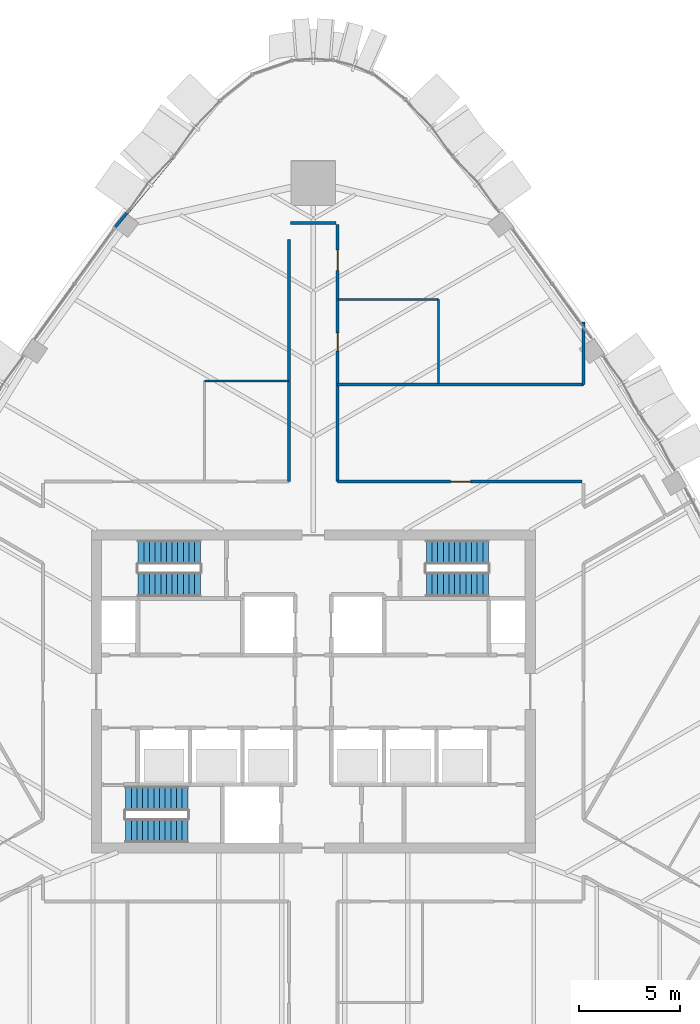
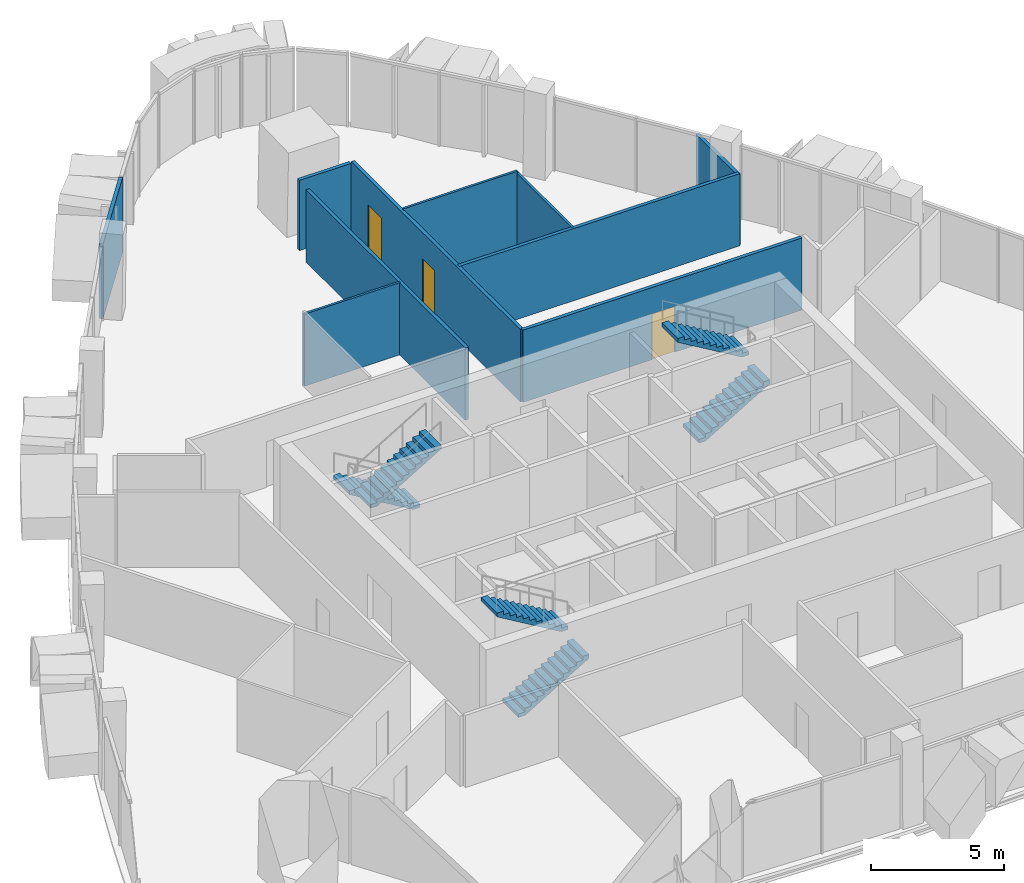
# One storey, part 14 of 18: 10 walls, 6 stair flights, 3 doors, 3 openings, 3 elements without a shape of their own.
"""IFC4 building model written with IfcOpenShell, lengths in metres."""

from ifc_helpers import new_model, si_unit, direction, frame, frame_2d, origin, place, context, subcontext, project, spatial, polyline, rectangle, outline, extrude, material, layer, layer_set, type_object, element, fill, aggregate, save


model = new_model("IFC4")

# Units and contexts
model_context = context("Model", 3, precision=1e-05, world=origin(), true_north=direction((0.0, 1.0)))
body_context = subcontext(model_context, "Body", "Model", "MODEL_VIEW")
ifc_project = project(units=[si_unit("LENGTHUNIT", "METRE"), si_unit("AREAUNIT", "SQUARE_METRE"), si_unit("VOLUMEUNIT", "CUBIC_METRE"), si_unit("PLANEANGLEUNIT", "RADIAN"), si_unit("MASSUNIT", "GRAM", prefix="KILO")], contexts=[model_context])

# Site, building, storey
site_placement = place(None, origin())
site = spatial("IfcSite", under=ifc_project, at=site_placement, CompositionType="ELEMENT")
building_placement = place(site_placement, origin())
building = spatial("IfcBuilding", under=site, at=building_placement, Name="Sierra Prisma Convention Tower", CompositionType="ELEMENT")
storey_placement = place(building_placement, frame((0.0, 0.0, 247.0)))
storey = spatial("IfcBuildingStorey", under=building, at=storey_placement, Name="L55", CompositionType="ELEMENT", Elevation=247.0)

# Walls
ifc_material_1 = material(Name="Gypsum board partition", Category="gypsum")
ifc_layer_1 = layer(ifc_material_1, 0.10009765625)
ifc_layer_set_1 = layer_set([ifc_layer_1], Name="Bathroom partition 100")
wall_type_1 = type_object("IfcWallType", Name="Bathroom partition 100", PredefinedType="PARTITIONING", material=ifc_layer_set_1)
wall_1_placement = place(storey_placement, frame((-5.39990234375, 15.39990234375, 0.0), z_axis=(0.0, 0.0, 1.0), x_axis=(1.0, 0.0, 0.0)))
element("IfcWall", 1, at=wall_1_placement, inside=storey, type_object=wall_type_1, Name="Partition L55 bath 4", PredefinedType="PARTITIONING", context=body_context, shape_type="SweptSolid", body=[
    extrude(rectangle(XDim=4.169921875, YDim=0.10009765625, at=frame_2d((2.0849609375, 0.0))), origin(), (0.0, 0.0, 1.0), 3.31689453125),
])
wall_2_placement = place(storey_placement, frame((1.22998046875, 19.42578125, 0.0), z_axis=(0.0, 0.0, 1.0), x_axis=(1.0, 0.0, 0.0)))
element("IfcWall", 2, at=wall_2_placement, inside=storey, type_object=wall_type_1, Name="Partition L55 bath 7", PredefinedType="PARTITIONING", context=body_context, shape_type="SweptSolid", body=[
    extrude(rectangle(XDim=4.969970703125, YDim=0.10009765625, at=frame_2d((2.48486328125, 0.0))), origin(), (0.0, 0.0, 1.0), 3.39306640625),
])
wall_3_placement = place(storey_placement, frame((6.199951171875, 19.42578125, 0.0), z_axis=(0.0, 0.0, 1.0), x_axis=(0.0, -1.0, 0.0)))
element("IfcWall", 3, at=wall_3_placement, inside=storey, type_object=wall_type_1, Name="Partition L55 bath 8", PredefinedType="PARTITIONING", context=body_context, shape_type="SweptSolid", body=[
    extrude(rectangle(XDim=4.170166015625, YDim=0.10009765625, at=frame_2d((2.0849609375, 0.0))), origin(), (0.0, 0.0, 1.0), 3.31689453125),
])
ifc_material_2 = material(Name="Gypsum board partition", Category="gypsum")
ifc_layer_2 = layer(ifc_material_2, 0.14990234375)
ifc_layer_set_2 = layer_set([ifc_layer_2], Name="Corridor wall 150 gypsum EI 60")
wall_type_2 = type_object("IfcWallType", Name="Corridor wall 150 gypsum EI 60", PredefinedType="PARTITIONING", material=ifc_layer_set_2)
wall_4_placement = place(storey_placement, frame((-1.199951171875, 22.39990234375, 0.0), z_axis=(0.0, 0.0, 1.0), x_axis=(0.0, -1.0, 0.0)))
element("IfcWall", 4, at=wall_4_placement, inside=storey, type_object=wall_type_2, Name="Partition L55 corr 12", PredefinedType="PARTITIONING", context=body_context, shape_type="SweptSolid", body=[
    extrude(rectangle(XDim=12.0, YDim=0.14990234375, at=frame_2d((6.0, 0.0))), origin(), (0.0, 0.0, 1.0), 3.31689453125),
])
wall_5_placement = place(storey_placement, frame((1.1201171875, 23.2255859375, 0.0), z_axis=(0.0, 0.0, 1.0), x_axis=(-1.0, 0.0, 0.0)))
element("IfcWall", 5, at=wall_5_placement, inside=storey, type_object=wall_type_2, Name="Partition L55 corr 15", PredefinedType="PARTITIONING", context=body_context, shape_type="SweptSolid", body=[
    extrude(rectangle(XDim=2.240234375, YDim=0.14990234375, at=frame_2d((1.1201171875, 0.0))), origin(), (0.0, 0.0, 1.0), 3.23291015625),
])

# Wall, opening, door
wall_6_placement = place(storey_placement, frame((13.320068359375, 10.39990234375, 0.0), z_axis=(0.0, 0.0, 1.0), x_axis=(-1.0, 0.0, 0.0)))
wall_6 = element("IfcWall", 6, at=wall_6_placement, inside=storey, type_object=wall_type_2, Name="Partition L55 corr 18", PredefinedType="PARTITIONING", context=body_context, shape_type="SweptSolid", body=[
    extrude(rectangle(XDim=12.1201171875, YDim=0.14990234375, at=frame_2d((6.06005859375, 0.0))), origin(), (0.0, 0.0, 1.0), 3.31689453125),
])
opening_1_placement = place(wall_6_placement, frame((5.52001953125, 0.0, 0.0)))
opening_1 = element("IfcOpeningElement", 7, at=opening_1_placement, cuts=wall_6, Name="Opening L55-D026", PredefinedType="OPENING", context=body_context, shape_type="SweptSolid", body=[
    extrude(rectangle(XDim=1.0, YDim=2.10009765625, at=frame_2d((0.5, 1.050048828125))), frame((0.0, 0.074951171875, 0.0), z_axis=(0.0, -1.0, 0.0), x_axis=(1.0, 0.0, 0.0)), (0.0, 0.0, 1.0), 0.14990234375),
])
ifc_material_3 = material(Name="Steel fire door leaf", Category="steel")
door_type_1 = type_object("IfcDoorType", Name="Door 1000x2100 FD30S", OperationType="SINGLE_SWING_LEFT", PredefinedType="DOOR", material=ifc_material_3)
door_1_placement = place(opening_1_placement, origin())
door_1 = element("IfcDoor", 8, at=door_1_placement, inside=storey, type_object=door_type_1, Name="Door L55 2", OperationType="SINGLE_SWING_LEFT", OverallHeight=2.10009765625, OverallWidth=1.0, PredefinedType="DOOR", context=body_context, shape_type="SweptSolid", body=[
    extrude(rectangle(XDim=1.0, YDim=2.10009765625, at=frame_2d((0.5, 1.050048828125))), frame((0.0, 0.02490234375, 0.0), z_axis=(0.0, -1.0, 0.0), x_axis=(1.0, 0.0, 0.0)), (0.0, 0.0, 1.0), 0.050048828125),
])
fill(opening_1, door_1)

# Wall, openings, doors
wall_7_placement = place(storey_placement, frame((1.199951171875, 10.39990234375, 0.0), z_axis=(0.0, 0.0, 1.0), x_axis=(0.0, 1.0, 0.0)))
wall_7 = element("IfcWall", 9, at=wall_7_placement, inside=storey, type_object=wall_type_2, Name="Partition L55 corr 19", PredefinedType="PARTITIONING", context=body_context, shape_type="SweptSolid", body=[
    extrude(rectangle(XDim=12.745849609375, YDim=0.14990234375, at=frame_2d((6.373046875, 0.0))), origin(), (0.0, 0.0, 1.0), 3.31689453125),
])
opening_2_placement = place(wall_7_placement, frame((6.4755859375, 0.0, 0.0)))
opening_2 = element("IfcOpeningElement", 10, at=opening_2_placement, cuts=wall_7, Name="Opening L55-D027", PredefinedType="OPENING", context=body_context, shape_type="SweptSolid", body=[
    extrude(rectangle(XDim=0.89990234375, YDim=2.10009765625, at=frame_2d((0.449951171875, 1.050048828125))), frame((0.0, 0.074951171875, 0.0), z_axis=(0.0, -1.0, 0.0), x_axis=(1.0, 0.0, 0.0)), (0.0, 0.0, 1.0), 0.14990234375),
])
opening_3_placement = place(wall_7_placement, frame((10.4755859375, 0.0, 0.0)))
opening_3 = element("IfcOpeningElement", 11, at=opening_3_placement, cuts=wall_7, Name="Opening L55-D028", PredefinedType="OPENING", context=body_context, shape_type="SweptSolid", body=[
    extrude(rectangle(XDim=1.0, YDim=2.10009765625, at=frame_2d((0.5, 1.050048828125))), frame((0.0, 0.074951171875, 0.0), z_axis=(0.0, -1.0, 0.0), x_axis=(1.0, 0.0, 0.0)), (0.0, 0.0, 1.0), 0.14990234375),
])
door_2_placement = place(opening_3_placement, origin())
door_2 = element("IfcDoor", 12, at=door_2_placement, inside=storey, type_object=door_type_1, Name="Door L55 4", OperationType="SINGLE_SWING_RIGHT", OverallHeight=2.10009765625, OverallWidth=1.0, PredefinedType="DOOR", context=body_context, shape_type="SweptSolid", body=[
    extrude(rectangle(XDim=1.0, YDim=2.10009765625, at=frame_2d((0.5, 1.050048828125))), frame((0.0, 0.02490234375, 0.0), z_axis=(0.0, -1.0, 0.0), x_axis=(1.0, 0.0, 0.0)), (0.0, 0.0, 1.0), 0.050048828125),
])
fill(opening_3, door_2)
ifc_material_4 = material(Name="Steel fire door leaf", Category="steel")
door_type_2 = type_object("IfcDoorType", Name="Door 900x2100 FD30S", OperationType="SINGLE_SWING_LEFT", PredefinedType="DOOR", material=ifc_material_4)
door_3_placement = place(opening_2_placement, origin())
door_3 = element("IfcDoor", 13, at=door_3_placement, inside=storey, type_object=door_type_2, Name="Door L55 3", OperationType="SINGLE_SWING_RIGHT", OverallHeight=2.10009765625, OverallWidth=0.89990234375, PredefinedType="DOOR", context=body_context, shape_type="SweptSolid", body=[
    extrude(rectangle(XDim=0.89990234375, YDim=2.10009765625, at=frame_2d((0.449951171875, 1.050048828125))), frame((0.0, 0.02490234375, 0.0), z_axis=(0.0, -1.0, 0.0), x_axis=(1.0, 0.0, 0.0)), (0.0, 0.0, 1.0), 0.050048828125),
])
fill(opening_2, door_3)

# Walls
ifc_material_5 = material(Name="Gypsum board partition", Category="gypsum")
ifc_layer_3 = layer(ifc_material_5, 0.14990234375)
ifc_layer_set_3 = layer_set([ifc_layer_3], Name="Party wall 150 gypsum")
wall_type_3 = type_object("IfcWallType", Name="Party wall 150 gypsum", PredefinedType="PARTITIONING", material=ifc_layer_set_3)
wall_8_placement = place(storey_placement, frame((-9.8095703125, 23.021728515625, 0.0), z_axis=(0.0, 0.0, 1.0), x_axis=(0.637492152704, 0.770456848397, 0.0)))
element("IfcWall", 14, at=wall_8_placement, inside=storey, type_object=wall_type_3, Name="Partition L55 party 7", PredefinedType="PARTITIONING", context=body_context, shape_type="SweptSolid", body=[
    extrude(rectangle(XDim=4.4306640625, YDim=0.14990234375, at=frame_2d((2.21533203125, 0.0))), origin(), (0.0, 0.0, 1.0), 3.449951171875),
])
wall_9_placement = place(storey_placement, frame((1.199951171875, 15.2255859375, 0.0), z_axis=(0.0, 0.0, 1.0), x_axis=(1.0, 0.0, 0.0)))
element("IfcWall", 15, at=wall_9_placement, inside=storey, type_object=wall_type_3, Name="Partition L55 party 9", PredefinedType="PARTITIONING", context=body_context, shape_type="SweptSolid", body=[
    extrude(rectangle(XDim=12.199951171875, YDim=0.14990234375, at=frame_2d((6.10009765625, 0.0))), origin(), (0.0, 0.0, 1.0), 3.31689453125),
])
wall_10_placement = place(storey_placement, frame((13.39990234375, 15.2255859375, 0.0), z_axis=(0.0, 0.0, 1.0), x_axis=(0.0, 1.0, 0.0)))
element("IfcWall", 16, at=wall_10_placement, inside=storey, type_object=wall_type_3, Name="Partition L55 party 10", PredefinedType="PARTITIONING", context=body_context, shape_type="SweptSolid", body=[
    extrude(rectangle(XDim=3.09716796875, YDim=0.14990234375, at=frame_2d((1.548583984375, 0.0))), origin(), (0.0, 0.0, 1.0), 3.23388671875),
])

# Stair, stair flights
ifc_material_6 = material(Name="Concrete C30/37", Category="concrete")
stair_type = type_object("IfcStairType", Name="Stair dog-leg 1200 RC", PredefinedType="HALF_TURN_STAIR", material=ifc_material_6)
stair_1_placement = place(storey_placement, origin())
stair_1 = element("IfcStair", 17, at=stair_1_placement, inside=storey, type_object=stair_type, Name="L55 S1", PredefinedType="HALF_TURN_STAIR")
ifc_material_7 = material(Name="Concrete C30/37", Category="concrete")
stair_flight_type = type_object("IfcStairFlightType", Name="Stair flight RC 1200", PredefinedType="STRAIGHT", material=ifc_material_7)
stair_flight_1_placement = place(storey_placement, frame((-9.300048828125, -6.89990234375, 0.0), z_axis=(0.0, 0.0, 1.0), x_axis=(1.0, 0.0, 0.0)))
stair_flight_1 = element("IfcStairFlight", 18, at=stair_flight_1_placement, type_object=stair_flight_type, Name="S1 flight 1", NumberOfRisers=12, NumberOfTreads=11, PredefinedType="STRAIGHT", RiserHeight=0.166666667, TreadLength=0.28, context=body_context, shape_type="SweptSolid", body=[
    extrude(outline(polyline([(0.0, 0.0), (0.0, 0.166748046875), (0.280029296875, 0.166748046875), (0.280029296875, 0.333251953125), (0.56005859375, 0.333251953125), (0.56005859375, 0.5), (0.840087890625, 0.5), (0.840087890625, 0.666748046875), (1.1201171875, 0.666748046875), (1.1201171875, 0.833251953125), (1.39990234375, 0.833251953125), (1.39990234375, 1.0), (1.679931640625, 1.0), (1.679931640625, 1.166748046875), (1.9599609375, 1.166748046875), (1.9599609375, 1.333251953125), (2.239990234375, 1.333251953125), (2.239990234375, 1.5), (2.52001953125, 1.5), (2.52001953125, 1.666748046875), (2.800048828125, 1.666748046875), (2.800048828125, 1.833251953125), (3.080078125, 1.833251953125), (3.080078125, 2.0), (3.080078125, 1.658935546875), (0.29296875, 0.0), (0.0, 0.0)])), frame((0.0, 0.60009765625, 0.0), z_axis=(0.0, -1.0, 0.0), x_axis=(1.0, 0.0, 0.0)), (0.0, 0.0, 1.0), 1.199951171875),
])
stair_flight_2_placement = place(storey_placement, frame((-6.219970703125, -5.300048828125, 2.0), z_axis=(0.0, 0.0, 1.0), x_axis=(-1.0, 0.0, 0.0)))
stair_flight_2 = element("IfcStairFlight", 19, at=stair_flight_2_placement, type_object=stair_flight_type, Name="S1 flight 2", NumberOfRisers=12, NumberOfTreads=11, PredefinedType="STRAIGHT", RiserHeight=0.166666667, TreadLength=0.28, context=body_context, shape_type="SweptSolid", body=[
    extrude(outline(polyline([(0.0, 0.0), (0.0, 0.166748046875), (0.280029296875, 0.166748046875), (0.280029296875, 0.333251953125), (0.56005859375, 0.333251953125), (0.56005859375, 0.5), (0.840087890625, 0.5), (0.840087890625, 0.666748046875), (1.1201171875, 0.666748046875), (1.1201171875, 0.833251953125), (1.39990234375, 0.833251953125), (1.39990234375, 1.0), (1.679931640625, 1.0), (1.679931640625, 1.166748046875), (1.9599609375, 1.166748046875), (1.9599609375, 1.333251953125), (2.239990234375, 1.333251953125), (2.239990234375, 1.5), (2.52001953125, 1.5), (2.52001953125, 1.666748046875), (2.800048828125, 1.666748046875), (2.800048828125, 1.833251953125), (3.080078125, 1.833251953125), (3.080078125, 2.0), (3.080078125, 1.658935546875), (0.29296875, 0.0), (0.0, 0.0)])), frame((0.0, 0.60009765625, 0.0), z_axis=(0.0, -1.0, 0.0), x_axis=(1.0, 0.0, 0.0)), (0.0, 0.0, 1.0), 1.199951171875),
])
aggregate(stair_1, [stair_flight_1, stair_flight_2])

stair_2_placement = place(storey_placement, origin())
stair_2 = element("IfcStair", 20, at=stair_2_placement, inside=storey, type_object=stair_type, Name="L55 S3", PredefinedType="HALF_TURN_STAIR")
stair_flight_3_placement = place(storey_placement, frame((-5.60009765625, 6.89990234375, 0.0), z_axis=(0.0, 0.0, 1.0), x_axis=(-1.0, 0.0, 0.0)))
stair_flight_3 = element("IfcStairFlight", 21, at=stair_flight_3_placement, type_object=stair_flight_type, Name="S3 flight 1", NumberOfRisers=12, NumberOfTreads=11, PredefinedType="STRAIGHT", RiserHeight=0.166666667, TreadLength=0.28, context=body_context, shape_type="SweptSolid", body=[
    extrude(outline(polyline([(0.0, 0.0), (0.0, 0.166748046875), (0.280029296875, 0.166748046875), (0.280029296875, 0.333251953125), (0.56005859375, 0.333251953125), (0.56005859375, 0.5), (0.840087890625, 0.5), (0.840087890625, 0.666748046875), (1.1201171875, 0.666748046875), (1.1201171875, 0.833251953125), (1.39990234375, 0.833251953125), (1.39990234375, 1.0), (1.679931640625, 1.0), (1.679931640625, 1.166748046875), (1.9599609375, 1.166748046875), (1.9599609375, 1.333251953125), (2.239990234375, 1.333251953125), (2.239990234375, 1.5), (2.52001953125, 1.5), (2.52001953125, 1.666748046875), (2.800048828125, 1.666748046875), (2.800048828125, 1.833251953125), (3.080078125, 1.833251953125), (3.080078125, 2.0), (3.080078125, 1.658935546875), (0.29296875, 0.0), (0.0, 0.0)])), frame((0.0, 0.60009765625, 0.0), z_axis=(0.0, -1.0, 0.0), x_axis=(1.0, 0.0, 0.0)), (0.0, 0.0, 1.0), 1.199951171875),
])
stair_flight_4_placement = place(storey_placement, frame((-8.679931640625, 5.300048828125, 2.0), z_axis=(0.0, 0.0, 1.0), x_axis=(1.0, 0.0, 0.0)))
stair_flight_4 = element("IfcStairFlight", 22, at=stair_flight_4_placement, type_object=stair_flight_type, Name="S3 flight 2", NumberOfRisers=12, NumberOfTreads=11, PredefinedType="STRAIGHT", RiserHeight=0.166666667, TreadLength=0.28, context=body_context, shape_type="SweptSolid", body=[
    extrude(outline(polyline([(0.0, 0.0), (0.0, 0.166748046875), (0.280029296875, 0.166748046875), (0.280029296875, 0.333251953125), (0.56005859375, 0.333251953125), (0.56005859375, 0.5), (0.840087890625, 0.5), (0.840087890625, 0.666748046875), (1.1201171875, 0.666748046875), (1.1201171875, 0.833251953125), (1.39990234375, 0.833251953125), (1.39990234375, 1.0), (1.679931640625, 1.0), (1.679931640625, 1.166748046875), (1.9599609375, 1.166748046875), (1.9599609375, 1.333251953125), (2.239990234375, 1.333251953125), (2.239990234375, 1.5), (2.52001953125, 1.5), (2.52001953125, 1.666748046875), (2.800048828125, 1.666748046875), (2.800048828125, 1.833251953125), (3.080078125, 1.833251953125), (3.080078125, 2.0), (3.080078125, 1.658935546875), (0.29296875, 0.0), (0.0, 0.0)])), frame((0.0, 0.60009765625, 0.0), z_axis=(0.0, -1.0, 0.0), x_axis=(1.0, 0.0, 0.0)), (0.0, 0.0, 1.0), 1.199951171875),
])
aggregate(stair_2, [stair_flight_3, stair_flight_4])

stair_3_placement = place(storey_placement, origin())
stair_3 = element("IfcStair", 23, at=stair_3_placement, inside=storey, type_object=stair_type, Name="L55 S4", PredefinedType="HALF_TURN_STAIR")
stair_flight_5_placement = place(storey_placement, frame((5.60009765625, 5.300048828125, 0.0), z_axis=(0.0, 0.0, 1.0), x_axis=(1.0, 0.0, 0.0)))
stair_flight_5 = element("IfcStairFlight", 24, at=stair_flight_5_placement, type_object=stair_flight_type, Name="S4 flight 1", NumberOfRisers=12, NumberOfTreads=11, PredefinedType="STRAIGHT", RiserHeight=0.166666667, TreadLength=0.28, context=body_context, shape_type="SweptSolid", body=[
    extrude(outline(polyline([(0.0, 0.0), (0.0, 0.166748046875), (0.280029296875, 0.166748046875), (0.280029296875, 0.333251953125), (0.56005859375, 0.333251953125), (0.56005859375, 0.5), (0.840087890625, 0.5), (0.840087890625, 0.666748046875), (1.1201171875, 0.666748046875), (1.1201171875, 0.833251953125), (1.39990234375, 0.833251953125), (1.39990234375, 1.0), (1.679931640625, 1.0), (1.679931640625, 1.166748046875), (1.9599609375, 1.166748046875), (1.9599609375, 1.333251953125), (2.239990234375, 1.333251953125), (2.239990234375, 1.5), (2.52001953125, 1.5), (2.52001953125, 1.666748046875), (2.800048828125, 1.666748046875), (2.800048828125, 1.833251953125), (3.080078125, 1.833251953125), (3.080078125, 2.0), (3.080078125, 1.658935546875), (0.29296875, 0.0), (0.0, 0.0)])), frame((0.0, 0.60009765625, 0.0), z_axis=(0.0, -1.0, 0.0), x_axis=(1.0, 0.0, 0.0)), (0.0, 0.0, 1.0), 1.199951171875),
])
stair_flight_6_placement = place(storey_placement, frame((8.679931640625, 6.89990234375, 2.0), z_axis=(0.0, 0.0, 1.0), x_axis=(-1.0, 0.0, 0.0)))
stair_flight_6 = element("IfcStairFlight", 25, at=stair_flight_6_placement, type_object=stair_flight_type, Name="S4 flight 2", NumberOfRisers=12, NumberOfTreads=11, PredefinedType="STRAIGHT", RiserHeight=0.166666667, TreadLength=0.28, context=body_context, shape_type="SweptSolid", body=[
    extrude(outline(polyline([(0.0, 0.0), (0.0, 0.166748046875), (0.280029296875, 0.166748046875), (0.280029296875, 0.333251953125), (0.56005859375, 0.333251953125), (0.56005859375, 0.5), (0.840087890625, 0.5), (0.840087890625, 0.666748046875), (1.1201171875, 0.666748046875), (1.1201171875, 0.833251953125), (1.39990234375, 0.833251953125), (1.39990234375, 1.0), (1.679931640625, 1.0), (1.679931640625, 1.166748046875), (1.9599609375, 1.166748046875), (1.9599609375, 1.333251953125), (2.239990234375, 1.333251953125), (2.239990234375, 1.5), (2.52001953125, 1.5), (2.52001953125, 1.666748046875), (2.800048828125, 1.666748046875), (2.800048828125, 1.833251953125), (3.080078125, 1.833251953125), (3.080078125, 2.0), (3.080078125, 1.658935546875), (0.29296875, 0.0), (0.0, 0.0)])), frame((0.0, 0.60009765625, 0.0), z_axis=(0.0, -1.0, 0.0), x_axis=(1.0, 0.0, 0.0)), (0.0, 0.0, 1.0), 1.199951171875),
])
aggregate(stair_3, [stair_flight_5, stair_flight_6])

save(model, "model.ifc")
